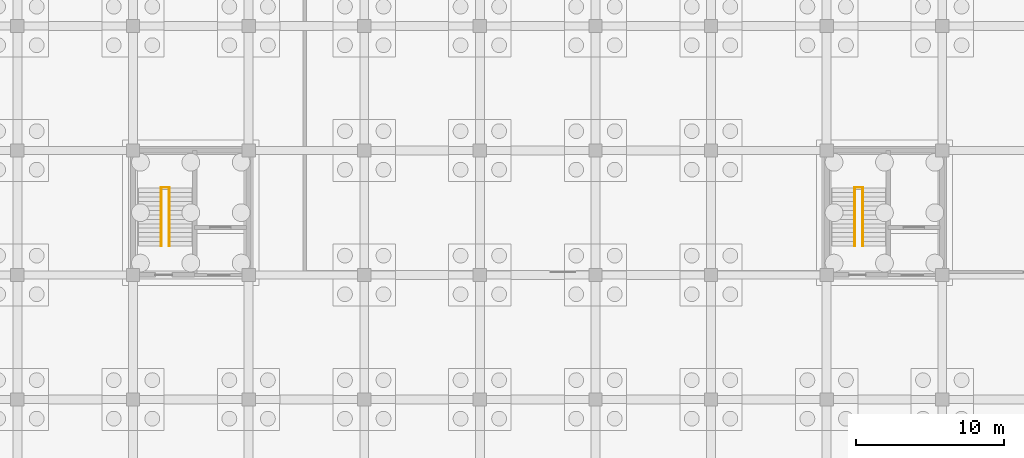
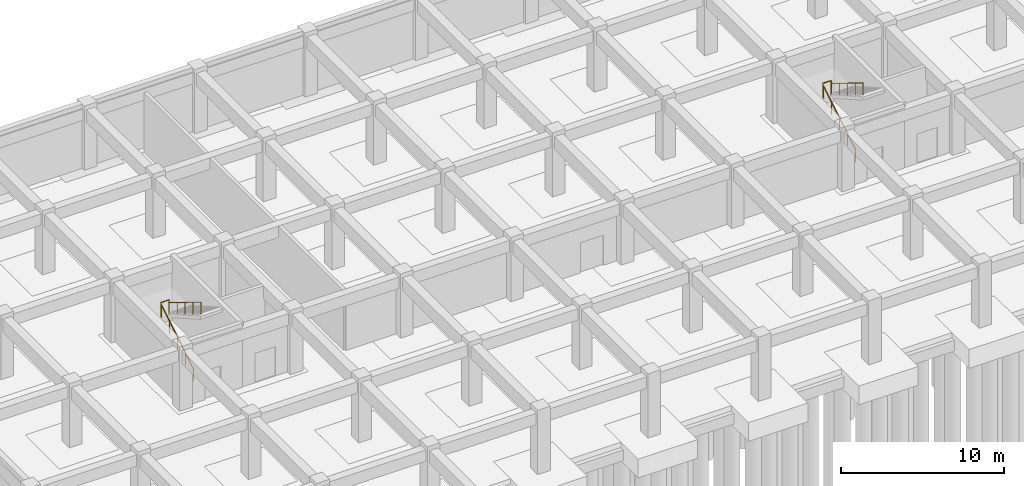
# One storey, part 30 of 31: 6 railings.
"""IFC4 building model written with IfcOpenShell, lengths in metres."""

from ifc_helpers import new_model, si_unit, direction, frame, origin, origin_2d, place, context, subcontext, project, spatial, circle, hollow_circle, extrude, material, material_profile, profile_set, type_object, element, save


model = new_model("IFC4")

# Units and contexts
model_context = context("Model", 3, precision=1e-05, world=origin(), true_north=direction((0.0, 1.0)))
body_context = subcontext(model_context, "Body", "Model", "MODEL_VIEW")
ifc_project = project(units=[si_unit("LENGTHUNIT", "METRE"), si_unit("AREAUNIT", "SQUARE_METRE"), si_unit("VOLUMEUNIT", "CUBIC_METRE"), si_unit("PLANEANGLEUNIT", "RADIAN"), si_unit("MASSUNIT", "GRAM", prefix="KILO")], contexts=[model_context])

# Site, building, storey
site_placement = place(None, origin())
site = spatial("IfcSite", under=ifc_project, at=site_placement, CompositionType="ELEMENT")
building_placement = place(site_placement, origin())
building = spatial("IfcBuilding", under=site, at=building_placement, Name="Zizhar Promenade General Hospital", CompositionType="ELEMENT")
storey_placement = place(building_placement, frame((0.0, 0.0, -4.800048828125)))
storey = spatial("IfcBuildingStorey", under=building, at=storey_placement, Name="B1", CompositionType="ELEMENT", Elevation=-4.800048828125)

# Railings
ifc_material_1 = material(Name="Anodised aluminium 6063-T6", Category="aluminium")
ifc_material_profile_1 = material_profile(ifc_material_1, hollow_circle(Radius=0.06982421875, WallThickness=0.00634765625, at=origin_2d()))
ifc_profile_set_1 = profile_set([ifc_material_profile_1], Name="Anodised aluminium 6063-T6")
railing_type_1 = type_object("IfcRailingType", Name="RL-HANDRAIL-920", PredefinedType="HANDRAIL", material=ifc_profile_set_1)
railing_1_placement = place(storey_placement, frame((64.300048828125, 111.14990234375, 0.0)))
element("IfcRailing", 1, at=railing_1_placement, inside=storey, type_object=railing_type_1, Name="Stair ST-06 Flight 1 Handrail (B1)", PredefinedType="HANDRAIL", context=body_context, shape_type="SweptSolid", body=[
    extrude(circle(Radius=0.02392578125, at=origin_2d()), frame((0.0, 0.0, 0.89599609375), z_axis=(0.0, 0.851652825334, 0.524106349037), x_axis=(-1.0, 0.0, 0.0)), (0.0, 0.0, 1.0), 4.57958984375),
    extrude(circle(Radius=0.02099609375, at=origin_2d()), origin(), (0.0, 0.0, 1.0), 0.871826171875),
    extrude(circle(Radius=0.02099609375, at=origin_2d()), frame((0.0, 0.97509765625, 0.60009765625)), (0.0, 0.0, 1.0), 0.871826171875),
    extrude(circle(Radius=0.02099609375, at=origin_2d()), frame((0.0, 1.9501953125, 1.2001953125)), (0.0, 0.0, 1.0), 0.871826171875),
    extrude(circle(Radius=0.02099609375, at=origin_2d()), frame((0.0, 2.925048828125, 1.800048828125)), (0.0, 0.0, 1.0), 0.871826171875),
    extrude(circle(Radius=0.02099609375, at=origin_2d()), frame((0.0, 3.900146484375, 2.400146484375)), (0.0, 0.0, 1.0), 0.871826171875),
])
railing_2_placement = place(storey_placement, frame((64.840087890625, 115.050048828125, 2.400146484375)))
element("IfcRailing", 2, at=railing_2_placement, inside=storey, type_object=railing_type_1, Name="Stair ST-06 Flight 2 Handrail (B1)", PredefinedType="HANDRAIL", context=body_context, shape_type="SweptSolid", body=[
    extrude(circle(Radius=0.02392578125, at=origin_2d()), frame((0.0, 0.0, 0.89599609375), z_axis=(0.0, -0.851676621109, 0.524067679844), x_axis=(1.0, 0.0, 0.0)), (0.0, 0.0, 1.0), 4.579345703125),
    extrude(circle(Radius=0.02099609375, at=origin_2d()), origin(), (0.0, 0.0, 1.0), 0.871826171875),
    extrude(circle(Radius=0.02099609375, at=origin_2d()), frame((0.0, -0.97509765625, 0.60009765625)), (0.0, 0.0, 1.0), 0.871826171875),
    extrude(circle(Radius=0.02099609375, at=origin_2d()), frame((0.0, -1.9501953125, 1.199951171875)), (0.0, 0.0, 1.0), 0.871826171875),
    extrude(circle(Radius=0.02099609375, at=origin_2d()), frame((0.0, -2.925048828125, 1.7998046875)), (0.0, 0.0, 1.0), 0.871826171875),
    extrude(circle(Radius=0.02099609375, at=origin_2d()), frame((0.0, -3.900146484375, 2.39990234375)), (0.0, 0.0, 1.0), 0.871826171875),
])
railing_3_placement = place(storey_placement, frame((111.10009765625, 111.14990234375, 0.0)))
element("IfcRailing", 3, at=railing_3_placement, inside=storey, type_object=railing_type_1, Name="Stair ST-07 Flight 1 Handrail (B1)", PredefinedType="HANDRAIL", context=body_context, shape_type="SweptSolid", body=[
    extrude(circle(Radius=0.02392578125, at=origin_2d()), frame((0.0, 0.0, 0.89599609375), z_axis=(0.0, 0.851652825334, 0.524106349037), x_axis=(-1.0, 0.0, 0.0)), (0.0, 0.0, 1.0), 4.57958984375),
    extrude(circle(Radius=0.02099609375, at=origin_2d()), origin(), (0.0, 0.0, 1.0), 0.871826171875),
    extrude(circle(Radius=0.02099609375, at=origin_2d()), frame((0.0, 0.97509765625, 0.60009765625)), (0.0, 0.0, 1.0), 0.871826171875),
    extrude(circle(Radius=0.02099609375, at=origin_2d()), frame((0.0, 1.9501953125, 1.2001953125)), (0.0, 0.0, 1.0), 0.871826171875),
    extrude(circle(Radius=0.02099609375, at=origin_2d()), frame((0.0, 2.925048828125, 1.800048828125)), (0.0, 0.0, 1.0), 0.871826171875),
    extrude(circle(Radius=0.02099609375, at=origin_2d()), frame((0.0, 3.900146484375, 2.400146484375)), (0.0, 0.0, 1.0), 0.871826171875),
])
railing_4_placement = place(storey_placement, frame((111.639892578125, 115.050048828125, 2.400146484375)))
element("IfcRailing", 4, at=railing_4_placement, inside=storey, type_object=railing_type_1, Name="Stair ST-07 Flight 2 Handrail (B1)", PredefinedType="HANDRAIL", context=body_context, shape_type="SweptSolid", body=[
    extrude(circle(Radius=0.02392578125, at=origin_2d()), frame((0.0, 0.0, 0.89599609375), z_axis=(0.0, -0.851676621109, 0.524067679844), x_axis=(1.0, 0.0, 0.0)), (0.0, 0.0, 1.0), 4.579345703125),
    extrude(circle(Radius=0.02099609375, at=origin_2d()), origin(), (0.0, 0.0, 1.0), 0.871826171875),
    extrude(circle(Radius=0.02099609375, at=origin_2d()), frame((0.0, -0.97509765625, 0.60009765625)), (0.0, 0.0, 1.0), 0.871826171875),
    extrude(circle(Radius=0.02099609375, at=origin_2d()), frame((0.0, -1.9501953125, 1.199951171875)), (0.0, 0.0, 1.0), 0.871826171875),
    extrude(circle(Radius=0.02099609375, at=origin_2d()), frame((0.0, -2.925048828125, 1.7998046875)), (0.0, 0.0, 1.0), 0.871826171875),
    extrude(circle(Radius=0.02099609375, at=origin_2d()), frame((0.0, -3.900146484375, 2.39990234375)), (0.0, 0.0, 1.0), 0.871826171875),
])
ifc_material_2 = material(Name="Steel S355", Category="steel")
ifc_material_profile_2 = material_profile(ifc_material_2, hollow_circle(Radius=0.06982421875, WallThickness=0.00634765625, at=origin_2d()))
ifc_profile_set_2 = profile_set([ifc_material_profile_2], Name="Steel S355")
railing_type_2 = type_object("IfcRailingType", Name="RL-STAIR-GUARD-1100", PredefinedType="GUARDRAIL", material=ifc_profile_set_2)
railing_5_placement = place(storey_placement, frame((64.280029296875, 115.090087890625, 2.400146484375)))
element("IfcRailing", 5, at=railing_5_placement, inside=storey, type_object=railing_type_2, Name="Stair ST-06 Half-Landing Guard (B1)", PredefinedType="GUARDRAIL", context=body_context, shape_type="SweptSolid", body=[
    extrude(circle(Radius=0.02392578125, at=origin_2d()), frame((0.0, 0.0, 1.076171875), z_axis=(1.0, 0.0, 0.0), x_axis=(0.0, 1.0, 0.0)), (0.0, 0.0, 1.0), 0.580078125),
    extrude(circle(Radius=0.02099609375, at=origin_2d()), origin(), (0.0, 0.0, 1.0), 1.052001953125),
    extrude(circle(Radius=0.02099609375, at=origin_2d()), frame((0.580078125, 0.0, 0.0)), (0.0, 0.0, 1.0), 1.052001953125),
])
railing_6_placement = place(storey_placement, frame((111.080078125, 115.090087890625, 2.400146484375)))
element("IfcRailing", 6, at=railing_6_placement, inside=storey, type_object=railing_type_2, Name="Stair ST-07 Half-Landing Guard (B1)", PredefinedType="GUARDRAIL", context=body_context, shape_type="SweptSolid", body=[
    extrude(circle(Radius=0.02392578125, at=origin_2d()), frame((0.0, 0.0, 1.076171875), z_axis=(1.0, 0.0, 0.0), x_axis=(0.0, 1.0, 0.0)), (0.0, 0.0, 1.0), 0.579833984375),
    extrude(circle(Radius=0.02099609375, at=origin_2d()), origin(), (0.0, 0.0, 1.0), 1.052001953125),
    extrude(circle(Radius=0.02099609375, at=origin_2d()), frame((0.579833984375, 0.0, 0.0)), (0.0, 0.0, 1.0), 1.052001953125),
])

save(model, "model.ifc")
